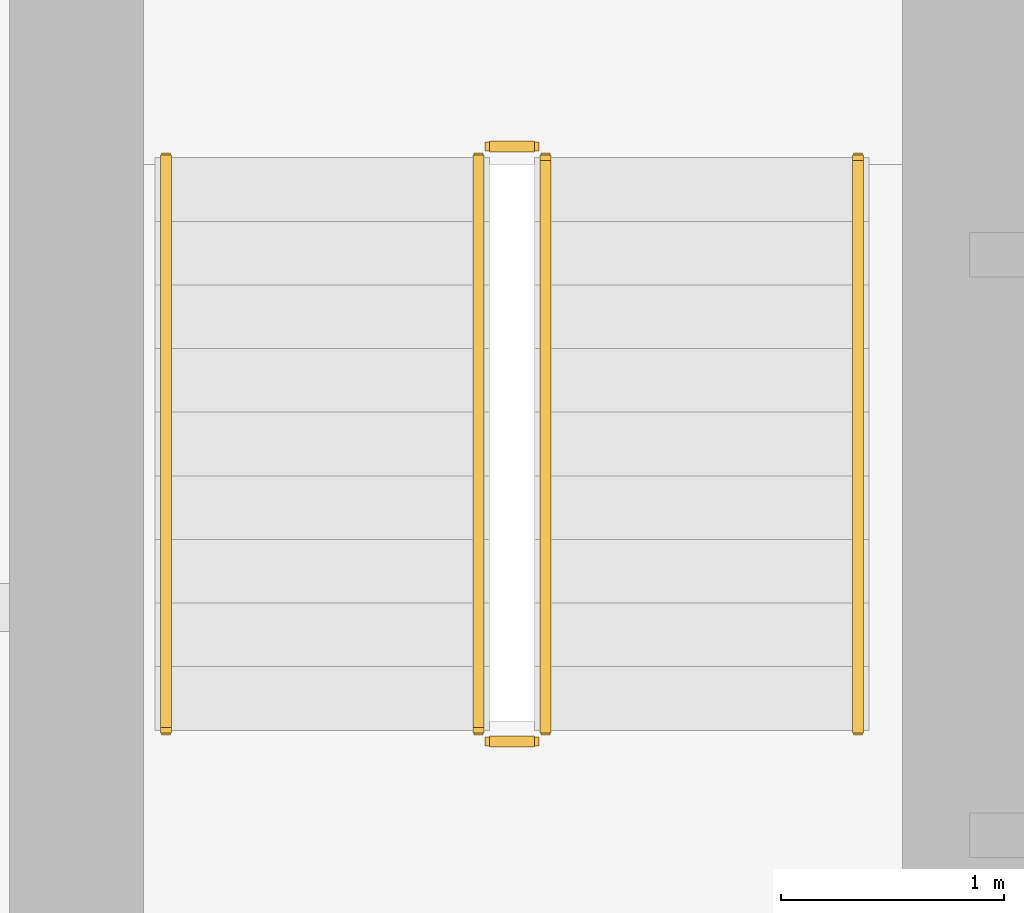
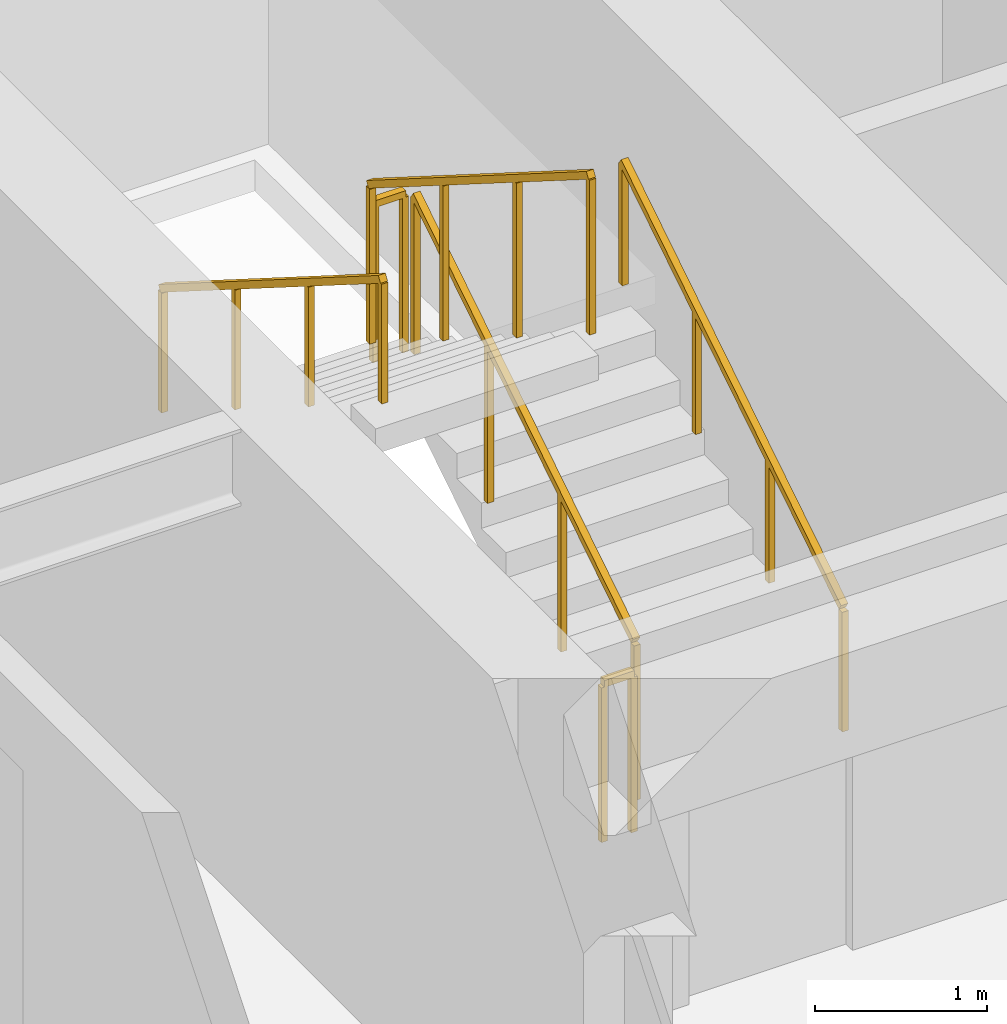
# One storey, part 24 of 26: 6 railings.
"""IFC4 building model written with IfcOpenShell, lengths in metres."""

from ifc_helpers import new_model, si_unit, direction, frame, origin, origin_2d, place, context, subcontext, project, spatial, rectangle, extrude, material, type_object, element, save


model = new_model("IFC4")

# Units and contexts
model_context = context("Model", 3, precision=1e-05, world=origin(), true_north=direction((0.0, 1.0)))
body_context = subcontext(model_context, "Body", "Model", "MODEL_VIEW")
ifc_project = project(units=[si_unit("LENGTHUNIT", "METRE"), si_unit("AREAUNIT", "SQUARE_METRE"), si_unit("VOLUMEUNIT", "CUBIC_METRE"), si_unit("PLANEANGLEUNIT", "RADIAN"), si_unit("MASSUNIT", "GRAM", prefix="KILO")], contexts=[model_context])

# Site, building, storey
site_placement = place(None, origin())
site = spatial("IfcSite", under=ifc_project, at=site_placement, CompositionType="ELEMENT")
building_placement = place(site_placement, origin())
building = spatial("IfcBuilding", under=site, at=building_placement, Name="Sarneth Arch Tower", CompositionType="ELEMENT")
storey_placement = place(building_placement, frame((0.0, 0.0, 42.60009765625)))
storey = spatial("IfcBuildingStorey", under=building, at=storey_placement, Name="L09", CompositionType="ELEMENT", Elevation=42.60009765625)

# Railings
ifc_material_1 = material(Name="Brushed Stainless Steel 304 tubular handrail", Category="steel")
railing_type_1 = type_object("IfcRailingType", Name="RAIL-HANDRAIL-900", PredefinedType="HANDRAIL", material=ifc_material_1)
railing_1_placement = place(storey_placement, frame((40.5, 41.449951171875, 0.179931640625)))
element("IfcRailing", 1, at=railing_1_placement, inside=storey, type_object=railing_type_1, Name="L09 ST-1 stair handrail 1", PredefinedType="HANDRAIL", context=body_context, shape_type="SweptSolid", body=[
    extrude(rectangle(XDim=0.048095703125, YDim=0.048095703125, at=origin_2d()), frame((0.0, 0.0, 0.8759765625), z_axis=(0.0, 0.845502289212, 0.533971796014), x_axis=(-1.0, 0.0, 0.0)), (0.0, 0.0, 1.0), 3.03369140625),
    extrude(rectangle(XDim=0.0419921875, YDim=0.0419921875, at=origin_2d()), origin(), (0.0, 0.0, 1.0), 0.851806640625),
    extrude(rectangle(XDim=0.0419921875, YDim=0.0419921875, at=origin_2d()), frame((0.0, 0.85498046875, 0.5400390625)), (0.0, 0.0, 1.0), 0.851806640625),
    extrude(rectangle(XDim=0.0419921875, YDim=0.0419921875, at=origin_2d()), frame((0.0, 1.7099609375, 1.079833984375)), (0.0, 0.0, 1.0), 0.851806640625),
    extrude(rectangle(XDim=0.0419921875, YDim=0.0419921875, at=origin_2d()), frame((0.0, 2.56494140625, 1.619873046875)), (0.0, 0.0, 1.0), 0.851806640625),
])
railing_2_placement = place(storey_placement, frame((37.39990234375, 44.014892578125, 1.97998046875)))
element("IfcRailing", 2, at=railing_2_placement, inside=storey, type_object=railing_type_1, Name="L09 ST-1 stair handrail 2", PredefinedType="HANDRAIL", context=body_context, shape_type="SweptSolid", body=[
    extrude(rectangle(XDim=0.048095703125, YDim=0.048095703125, at=origin_2d()), frame((0.0, 0.0, 0.8759765625), z_axis=(0.0, -0.845502289212, 0.533971796014), x_axis=(1.0, 0.0, 0.0)), (0.0, 0.0, 1.0), 3.03369140625),
    extrude(rectangle(XDim=0.0419921875, YDim=0.0419921875, at=origin_2d()), origin(), (0.0, 0.0, 1.0), 0.851806640625),
    extrude(rectangle(XDim=0.0419921875, YDim=0.0419921875, at=origin_2d()), frame((0.0, -0.85498046875, 0.5400390625)), (0.0, 0.0, 1.0), 0.851806640625),
    extrude(rectangle(XDim=0.0419921875, YDim=0.0419921875, at=origin_2d()), frame((0.0, -1.7099609375, 1.079833984375)), (0.0, 0.0, 1.0), 0.851806640625),
    extrude(rectangle(XDim=0.0419921875, YDim=0.0419921875, at=origin_2d()), frame((0.0, -2.56494140625, 1.619873046875)), (0.0, 0.0, 1.0), 0.851806640625),
])
ifc_material_2 = material(Name="Painted Steel S275 stair well guard", Category="steel")
railing_type_2 = type_object("IfcRailingType", Name="RAIL-STAIR-GUARD", PredefinedType="GUARDRAIL", material=ifc_material_2)
railing_3_placement = place(storey_placement, frame((39.10009765625, 41.449951171875, 0.179931640625)))
element("IfcRailing", 3, at=railing_3_placement, inside=storey, type_object=railing_type_2, Name="L09 ST-1 stair guard 1", PredefinedType="GUARDRAIL", context=body_context, shape_type="SweptSolid", body=[
    extrude(rectangle(XDim=0.048095703125, YDim=0.048095703125, at=origin_2d()), frame((0.0, 0.0, 1.1259765625), z_axis=(0.0, 0.845502289212, 0.533971796014), x_axis=(-1.0, 0.0, 0.0)), (0.0, 0.0, 1.0), 3.03369140625),
    extrude(rectangle(XDim=0.0419921875, YDim=0.0419921875, at=origin_2d()), origin(), (0.0, 0.0, 1.0), 1.101806640625),
    extrude(rectangle(XDim=0.0419921875, YDim=0.0419921875, at=origin_2d()), frame((0.0, 0.85498046875, 0.5400390625)), (0.0, 0.0, 1.0), 1.101806640625),
    extrude(rectangle(XDim=0.0419921875, YDim=0.0419921875, at=origin_2d()), frame((0.0, 1.7099609375, 1.079833984375)), (0.0, 0.0, 1.0), 1.101806640625),
    extrude(rectangle(XDim=0.0419921875, YDim=0.0419921875, at=origin_2d()), frame((0.0, 2.56494140625, 1.619873046875)), (0.0, 0.0, 1.0), 1.101806640625),
])
railing_4_placement = place(storey_placement, frame((39.050048828125, 44.06494140625, 1.7998046875)))
element("IfcRailing", 4, at=railing_4_placement, inside=storey, type_object=railing_type_2, Name="L09 ST-1 stair guard 2", PredefinedType="GUARDRAIL", context=body_context, shape_type="SweptSolid", body=[
    extrude(rectangle(XDim=0.048095703125, YDim=0.048095703125, at=origin_2d()), frame((0.0, 0.0, 1.1259765625), z_axis=(-1.0, 0.0, 0.0), x_axis=(0.0, -1.0, 0.0)), (0.0, 0.0, 1.0), 0.199951171875),
    extrude(rectangle(XDim=0.0419921875, YDim=0.0419921875, at=origin_2d()), origin(), (0.0, 0.0, 1.0), 1.101806640625),
    extrude(rectangle(XDim=0.0419921875, YDim=0.0419921875, at=origin_2d()), frame((-0.199951171875, 0.0, 0.0)), (0.0, 0.0, 1.0), 1.101806640625),
])
railing_5_placement = place(storey_placement, frame((38.800048828125, 44.014892578125, 1.97998046875)))
element("IfcRailing", 5, at=railing_5_placement, inside=storey, type_object=railing_type_2, Name="L09 ST-1 stair guard 3", PredefinedType="GUARDRAIL", context=body_context, shape_type="SweptSolid", body=[
    extrude(rectangle(XDim=0.048095703125, YDim=0.048095703125, at=origin_2d()), frame((0.0, 0.0, 1.1259765625), z_axis=(0.0, -0.845502289212, 0.533971796014), x_axis=(1.0, 0.0, 0.0)), (0.0, 0.0, 1.0), 3.03369140625),
    extrude(rectangle(XDim=0.0419921875, YDim=0.0419921875, at=origin_2d()), origin(), (0.0, 0.0, 1.0), 1.101806640625),
    extrude(rectangle(XDim=0.0419921875, YDim=0.0419921875, at=origin_2d()), frame((0.0, -0.85498046875, 0.5400390625)), (0.0, 0.0, 1.0), 1.101806640625),
    extrude(rectangle(XDim=0.0419921875, YDim=0.0419921875, at=origin_2d()), frame((0.0, -1.7099609375, 1.079833984375)), (0.0, 0.0, 1.0), 1.101806640625),
    extrude(rectangle(XDim=0.0419921875, YDim=0.0419921875, at=origin_2d()), frame((0.0, -2.56494140625, 1.619873046875)), (0.0, 0.0, 1.0), 1.101806640625),
])
railing_6_placement = place(storey_placement, frame((39.050048828125, 41.39990234375, 0.0)))
element("IfcRailing", 6, at=railing_6_placement, inside=storey, type_object=railing_type_2, Name="L09 ST-1 stair guard 4", PredefinedType="GUARDRAIL", context=body_context, shape_type="SweptSolid", body=[
    extrude(rectangle(XDim=0.048095703125, YDim=0.048095703125, at=origin_2d()), frame((0.0, 0.0, 1.1259765625), z_axis=(-1.0, 0.0, 0.0), x_axis=(0.0, -1.0, 0.0)), (0.0, 0.0, 1.0), 0.199951171875),
    extrude(rectangle(XDim=0.0419921875, YDim=0.0419921875, at=origin_2d()), origin(), (0.0, 0.0, 1.0), 1.101806640625),
    extrude(rectangle(XDim=0.0419921875, YDim=0.0419921875, at=origin_2d()), frame((-0.199951171875, 0.0, 0.0)), (0.0, 0.0, 1.0), 1.101806640625),
])

save(model, "model.ifc")
